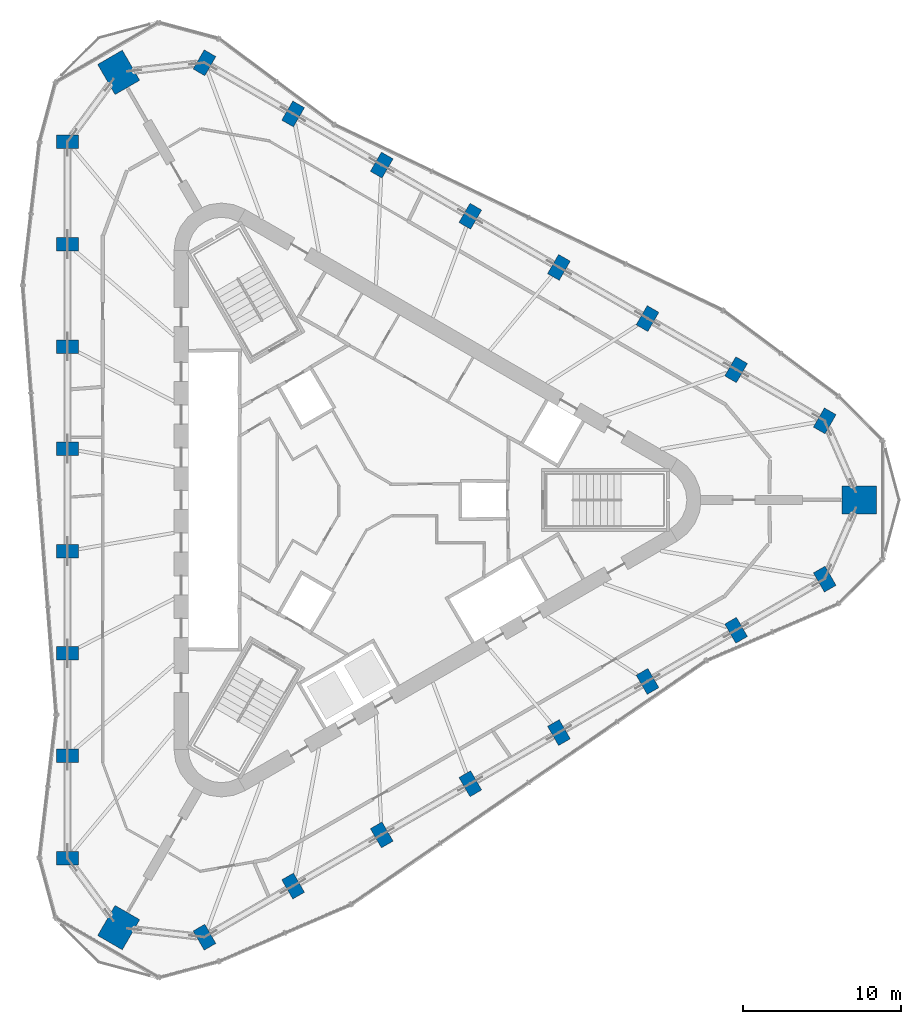
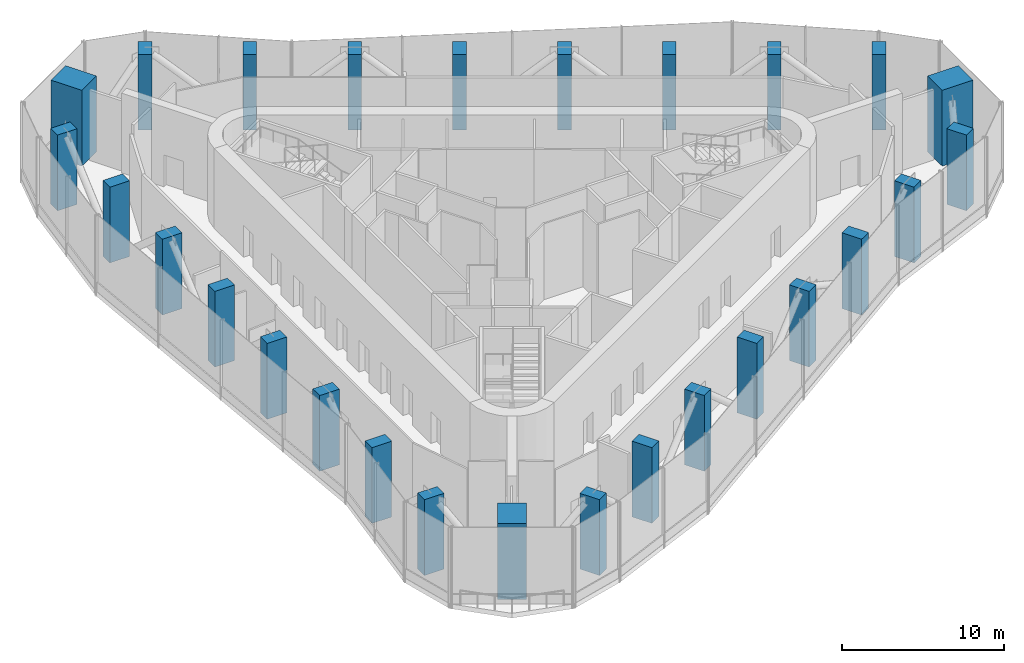
# One storey, part 1 of 15: 27 columns.
"""IFC4 building model written with IfcOpenShell, lengths in metres."""

import ifcopenshell
import ifcopenshell.guid

model = None  # the IFC model being written
_history = None  # IfcOwnerHistory: only IFC2X3 demands one
_inside = {}  # id of a spatial element -> (the spatial element, [elements in it])
_under = {}  # id of a project, library or spatial element -> (it, [spatial elements below it])
_declared = {}  # id of a project -> (the project, [libraries it declares])
_typed = {}  # id of a type object -> (the type object, [elements of that type])
_made_of = {}  # id of a material, layer set ... -> (it, [elements and type objects made of it])


def new_model(schema):
    """Start an empty IFC model of exactly this schema.

    Asked for "IFC4X3", IfcOpenShell would pick the latest addendum, in which some entities
    have other attributes; the version numbers below select the first issue.
    IFC2X3 requires an IfcOwnerHistory on every rooted entity: one is made here for all.
    """
    global model, _history
    if schema == "IFC4X3":
        model = ifcopenshell.file(schema_version=(4, 3, 0, 0))
    else:
        model = ifcopenshell.file(schema=schema)
    _inside.clear()
    _under.clear()
    _declared.clear()
    _typed.clear()
    _made_of.clear()
    _history = None
    if model.schema == "IFC2X3":
        org = make("IfcOrganization", Name="unknown")
        user = make(
            "IfcPersonAndOrganization",
            ThePerson=make("IfcPerson", FamilyName="unknown"),
            TheOrganization=org,
        )
        app = make(
            "IfcApplication",
            ApplicationDeveloper=org,
            Version="unknown",
            ApplicationFullName="unknown",
            ApplicationIdentifier="unknown",
        )
        _history = make(
            "IfcOwnerHistory",
            OwningUser=user,
            OwningApplication=app,
            ChangeAction="ADDED",
            CreationDate=0,
        )
    return model


def make(cls, **values):
    """One entity of the class cls with the attributes given. An attribute that is None is left unset."""
    return model.create_entity(
        cls, **{name: value for name, value in values.items() if value is not None}
    )


def rooted(cls, **values):
    """An entity with a GlobalId (a new one), such as an element, a storey or a relation."""
    return make(cls, GlobalId=ifcopenshell.guid.new(), OwnerHistory=_history, **values)


def si_unit(unit_type, name, prefix=None):
    """IfcSIUnit, for example si_unit("LENGTHUNIT", "METRE", prefix="MILLI")."""
    return make("IfcSIUnit", UnitType=unit_type, Prefix=prefix, Name=name)


def assignment(units):
    """IfcUnitAssignment: the units of a project."""
    return None if units is None else make("IfcUnitAssignment", Units=units)


def point(xyz):
    """IfcCartesianPoint."""
    return None if xyz is None else make("IfcCartesianPoint", Coordinates=xyz)


def direction(xyz):
    """IfcDirection."""
    return None if xyz is None else make("IfcDirection", DirectionRatios=xyz)


def frame(location, z_axis=None, x_axis=None):
    """IfcAxis2Placement3D, a coordinate frame: its origin and axes. An axis left out is left unset."""
    return make(
        "IfcAxis2Placement3D",
        Location=point(location),
        Axis=direction(z_axis),
        RefDirection=direction(x_axis),
    )


def frame_2d(location, x_axis=None):
    """IfcAxis2Placement2D, a coordinate frame in the plane: its origin and x axis."""
    return make(
        "IfcAxis2Placement2D", Location=point(location), RefDirection=direction(x_axis)
    )


def origin():
    """The frame at (0, 0, 0) with its axes left unset."""
    return frame((0.0, 0.0, 0.0))


def origin_2d():
    """The frame at (0, 0) in the plane with its x axis left unset."""
    return frame_2d((0.0, 0.0))


def place(relative_to, where):
    """IfcLocalPlacement: puts the frame where relative to a parent placement (None: the world)."""
    return make(
        "IfcLocalPlacement", PlacementRelTo=relative_to, RelativePlacement=where
    )


def context(
    kind, dimensions, precision=None, world=None, true_north=None, identifier=None
):
    """IfcGeometricRepresentationContext, for example the 3D "Model" context."""
    return make(
        "IfcGeometricRepresentationContext",
        ContextIdentifier=identifier,
        ContextType=kind,
        CoordinateSpaceDimension=dimensions,
        Precision=precision,
        WorldCoordinateSystem=world,
        TrueNorth=true_north,
    )


def subcontext(parent, identifier, kind, view, scale=None):
    """IfcGeometricRepresentationSubContext, for example "Body" below "Model"."""
    return make(
        "IfcGeometricRepresentationSubContext",
        ContextIdentifier=identifier,
        ContextType=kind,
        ParentContext=parent,
        TargetScale=scale,
        TargetView=view,
    )


def project(units=None, contexts=None):
    """IfcProject with its units and contexts."""
    return rooted(
        "IfcProject",
        Name="project",
        RepresentationContexts=contexts,
        UnitsInContext=assignment(units),
    )


def spatial(cls, under=None, at=None, **own):
    """A site, building, storey or space (cls), placed at a placement, below another one or the project."""
    s = rooted(cls, ObjectPlacement=at, **own)
    if under is not None:
        _under.setdefault(under.id(), (under, []))[1].append(s)
    return s


def profile(cls, at=None, kind="AREA", **sizes):
    """A parametric profile (cls). Its sizes go by their IFC names, for example OverallWidth=200.0."""
    return make(cls, ProfileType=kind, Position=at, **sizes)


def rectangle(**sizes):
    """IfcRectangleProfileDef."""
    return profile("IfcRectangleProfileDef", **sizes)


def extrude(swept, where, along, depth):
    """IfcExtrudedAreaSolid: the profile swept, set in the frame where, extruded along a direction by depth."""
    return make(
        "IfcExtrudedAreaSolid",
        SweptArea=swept,
        Position=where,
        ExtrudedDirection=direction(along),
        Depth=depth,
    )


def shape(context_of_items, identifier, shape_type, items):
    """IfcShapeRepresentation: the items that make up one representation, for example the "Body"."""
    return make(
        "IfcShapeRepresentation",
        ContextOfItems=context_of_items,
        RepresentationIdentifier=identifier,
        RepresentationType=shape_type,
        Items=items,
    )


def material(Name=None, Category=None):
    """IfcMaterial."""
    return make("IfcMaterial", Name=Name, Category=Category)


def material_profile(
    of_material, cross_section, Name=None, Category=None, Priority=None
):
    """IfcMaterialProfile: a cross section and its material."""
    return make(
        "IfcMaterialProfile",
        Name=Name,
        Material=of_material,
        Profile=cross_section,
        Priority=Priority,
        Category=Category,
    )


def profile_set(profiles, Name=None, composite=None):
    """IfcMaterialProfileSet."""
    return make(
        "IfcMaterialProfileSet",
        Name=Name,
        MaterialProfiles=profiles,
        CompositeProfile=composite,
    )


def made_of(thing, what):
    """Note that an element or type object is made of a material, layer set ...; save() writes the relation."""
    if what is not None:
        _made_of.setdefault(what.id(), (what, []))[1].append(thing)
    return thing


def type_object(cls, material=None, **own):
    """A type object (cls), such as IfcWallType, which elements share."""
    return made_of(rooted(cls, **own), material)


def element(
    cls,
    number,
    at=None,
    inside=None,
    cuts=None,
    type_object=None,
    material=None,
    context=None,
    identifier="Body",
    shape_type=None,
    held_by="IfcProductDefinitionShape",
    body=None,
    shapes=None,
    **own,
):
    """One element of the class cls, such as IfcWall. Its Tag is "e" and its number.

    at: its placement. inside: the storey or other place that contains it. cuts: it is an
    opening in that element (IfcRelVoidsElement). A single representation is given by context,
    identifier, shape_type and body (its items); several are given by shapes. held_by: the class
    of the entity that holds the representations. save() writes the other relations.
    """
    e = rooted(cls, Tag="e%d" % number, ObjectPlacement=at, **own)
    if body is not None:
        shapes = [shape(context, identifier, shape_type, body)]
    if shapes is not None:
        e.Representation = make(held_by, Representations=shapes)
    if inside is not None:
        _inside.setdefault(inside.id(), (inside, []))[1].append(e)
    if cuts is not None:
        rooted(
            "IfcRelVoidsElement", RelatingBuildingElement=cuts, RelatedOpeningElement=e
        )
    if type_object is not None:
        _typed.setdefault(type_object.id(), (type_object, []))[1].append(e)
    return made_of(e, material)


def aggregate(whole, parts):
    """IfcRelAggregates: a whole, such as a stair, and the parts it consists of."""
    return rooted("IfcRelAggregates", RelatingObject=whole, RelatedObjects=parts)


def save(model, path):
    """Write the relations noted so far, then the file.

    IfcRelAggregates (storeys below a building ...), IfcRelContainedInSpatialStructure (elements
    in a storey), IfcRelDefinesByType, IfcRelAssociatesMaterial and IfcRelDeclares: one each for
    every whole, place, type object, material and project.
    """
    for whole, parts in _under.values():
        aggregate(whole, parts)
    for where, things in _inside.values():
        rooted(
            "IfcRelContainedInSpatialStructure",
            RelatedElements=things,
            RelatingStructure=where,
        )
    for kind, things in _typed.values():
        rooted("IfcRelDefinesByType", RelatedObjects=things, RelatingType=kind)
    for what, things in _made_of.values():
        rooted("IfcRelAssociatesMaterial", RelatedObjects=things, RelatingMaterial=what)
    for by, libraries in _declared.values():
        rooted("IfcRelDeclares", RelatingContext=by, RelatedDefinitions=libraries)
    model.write(path)


model = new_model("IFC4")

# Units and contexts
model_context = context("Model", 3, precision=1e-05, world=origin(), true_north=direction((0.0, 1.0)))
body_context = subcontext(model_context, "Body", "Model", "MODEL_VIEW")
ifc_project = project(units=[si_unit("LENGTHUNIT", "METRE"), si_unit("AREAUNIT", "SQUARE_METRE"), si_unit("VOLUMEUNIT", "CUBIC_METRE"), si_unit("PLANEANGLEUNIT", "RADIAN"), si_unit("MASSUNIT", "GRAM", prefix="KILO")], contexts=[model_context])

# Site, building, storey
site_placement = place(None, origin())
site = spatial("IfcSite", under=ifc_project, at=site_placement, CompositionType="ELEMENT")
building_placement = place(site_placement, origin())
building = spatial("IfcBuilding", under=site, at=building_placement, Name="Tanit Gate Tower", CompositionType="ELEMENT")
storey_placement = place(building_placement, frame((0.0, 0.0, 392.300048828125)))
storey = spatial("IfcBuildingStorey", under=building, at=storey_placement, Name="L90", CompositionType="ELEMENT", Elevation=392.300048828125)

# Columns
ifc_material_1 = material(Name="Concrete C50/60", Category="concrete")
ifc_material_profile_1 = material_profile(ifc_material_1, rectangle(XDim=2.199951171875, YDim=1.800048828125, at=origin_2d()), Name="RC 2200x1800")
ifc_profile_set_1 = profile_set([ifc_material_profile_1], Name="Concrete C50/60")
column_type_1 = type_object("IfcColumnType", Name="MEGA COLUMN 2200x1800 C50/60", PredefinedType="COLUMN", material=ifc_profile_set_1)
for number, where, z_axis, x_axis, name in (
    (1, (31.19580078125, 0.0, 0.0), (0.0, 0.0, 1.0), (1.0, 0.0, 0.0), "MEGA COLUMN"),
    (2, (-15.597900390625, 27.016357421875, 0.0), (0.0, 0.0, 1.0), (-0.5, 0.866025403784, 0.0), "MEGA COLUMN"),
    (3, (-15.597900390625, -27.016357421875, 0.0), (0.0, 0.0, 1.0), (-0.5, -0.866025403784, 0.0), "MEGA COLUMN"),
):
    element("IfcColumn", number, at=place(storey_placement, frame(where, z_axis=z_axis, x_axis=x_axis)), inside=storey, type_object=column_type_1, Name=name, PredefinedType="COLUMN", context=body_context, shape_type="SweptSolid", body=[
        extrude(rectangle(XDim=2.199951171875, YDim=1.800048828125, at=origin_2d()), origin(), (0.0, 0.0, 1.0), 5.699951171875),
    ])
ifc_material_2 = material(Name="Concrete C40/50", Category="concrete")
ifc_material_profile_2 = material_profile(ifc_material_2, rectangle(XDim=1.39990234375, YDim=0.85009765625, at=origin_2d()), Name="RC 1400x850")
ifc_profile_set_2 = profile_set([ifc_material_profile_2], Name="Concrete C40/50")
column_type_2 = type_object("IfcColumnType", Name="PERIMETER COLUMN 1400x850 C40/50", PredefinedType="COLUMN", material=ifc_profile_set_2)
for number, where, z_axis, x_axis, name in (
    (4, (-18.833984375, 22.62353515625, 0.0), (0.0, 0.0, 1.0), (-1.0, 0.0, 0.0), "PERIMETER COLUMN"),
    (5, (-18.833984375, 16.15966796875, 0.0), (0.0, 0.0, 1.0), (-1.0, 0.0, 0.0), "PERIMETER COLUMN"),
    (6, (-18.833984375, 9.69580078125, 0.0), (0.0, 0.0, 1.0), (-1.0, 0.0, 0.0), "PERIMETER COLUMN"),
    (7, (-18.833984375, 3.23193359375, 0.0), (0.0, 0.0, 1.0), (-1.0, 0.0, 0.0), "PERIMETER COLUMN"),
    (8, (-18.833984375, -3.23193359375, 0.0), (0.0, 0.0, 1.0), (-1.0, 0.0, 0.0), "PERIMETER COLUMN"),
    (9, (-18.833984375, -9.69580078125, 0.0), (0.0, 0.0, 1.0), (-1.0, 0.0, 0.0), "PERIMETER COLUMN"),
    (10, (-18.833984375, -16.15966796875, 0.0), (0.0, 0.0, 1.0), (-1.0, 0.0, 0.0), "PERIMETER COLUMN"),
    (11, (-18.833984375, -22.62353515625, 0.0), (0.0, 0.0, 1.0), (-1.0, 0.0, 0.0), "PERIMETER COLUMN"),
    (12, (29.009521484375, 4.998779296875, 0.0), (0.0, 0.0, 1.0), (0.5, 0.866025403784, 0.0), "PERIMETER COLUMN"),
    (13, (23.41162109375, 8.230712890625, 0.0), (0.0, 0.0, 1.0), (0.5, 0.866025403784, 0.0), "PERIMETER COLUMN"),
    (14, (17.813720703125, 11.462890625, 0.0), (0.0, 0.0, 1.0), (0.5, 0.866025403784, 0.0), "PERIMETER COLUMN"),
    (15, (12.2158203125, 14.694580078125, 0.0), (0.0, 0.0, 1.0), (0.5, 0.866025403784, 0.0), "PERIMETER COLUMN"),
    (16, (6.617919921875, 17.9267578125, 0.0), (0.0, 0.0, 1.0), (0.5, 0.866025403784, 0.0), "PERIMETER COLUMN"),
    (17, (1.02001953125, 21.15869140625, 0.0), (0.0, 0.0, 1.0), (0.5, 0.866025403784, 0.0), "PERIMETER COLUMN"),
    (18, (-4.577880859375, 24.390625, 0.0), (0.0, 0.0, 1.0), (0.5, 0.866025403784, 0.0), "PERIMETER COLUMN"),
    (19, (-10.17578125, 27.62255859375, 0.0), (0.0, 0.0, 1.0), (0.5, 0.866025403784, 0.0), "PERIMETER COLUMN"),
    (20, (-10.17578125, -27.62255859375, 0.0), (0.0, 0.0, 1.0), (0.5, -0.866025403784, 0.0), "PERIMETER COLUMN"),
    (21, (-4.577880859375, -24.390625, 0.0), (0.0, 0.0, 1.0), (0.5, -0.866025403784, 0.0), "PERIMETER COLUMN"),
    (22, (1.02001953125, -21.15869140625, 0.0), (0.0, 0.0, 1.0), (0.5, -0.866025403784, 0.0), "PERIMETER COLUMN"),
    (23, (6.617919921875, -17.9267578125, 0.0), (0.0, 0.0, 1.0), (0.5, -0.866025403784, 0.0), "PERIMETER COLUMN"),
    (24, (12.2158203125, -14.694580078125, 0.0), (0.0, 0.0, 1.0), (0.5, -0.866025403784, 0.0), "PERIMETER COLUMN"),
    (25, (17.813720703125, -11.462890625, 0.0), (0.0, 0.0, 1.0), (0.5, -0.866025403784, 0.0), "PERIMETER COLUMN"),
    (26, (23.41162109375, -8.230712890625, 0.0), (0.0, 0.0, 1.0), (0.5, -0.866025403784, 0.0), "PERIMETER COLUMN"),
    (27, (29.009521484375, -4.998779296875, 0.0), (0.0, 0.0, 1.0), (0.5, -0.866025403784, 0.0), "PERIMETER COLUMN"),
):
    element("IfcColumn", number, at=place(storey_placement, frame(where, z_axis=z_axis, x_axis=x_axis)), inside=storey, type_object=column_type_2, Name=name, PredefinedType="COLUMN", context=body_context, shape_type="SweptSolid", body=[
        extrude(rectangle(XDim=1.39990234375, YDim=0.85009765625, at=origin_2d()), origin(), (0.0, 0.0, 1.0), 5.699951171875),
    ])

save(model, "model.ifc")
